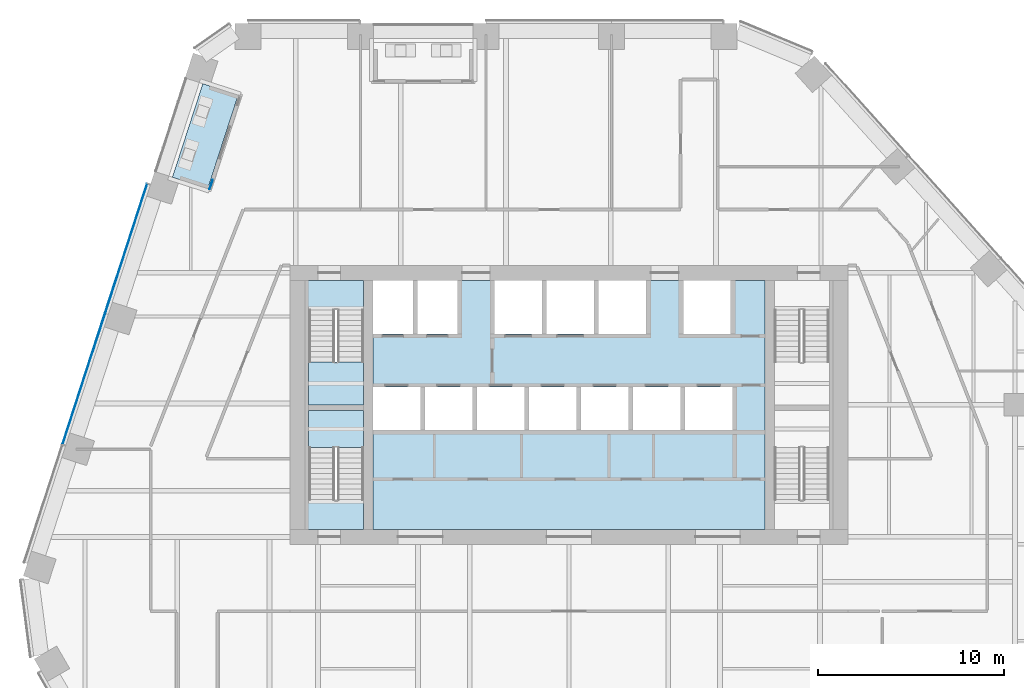
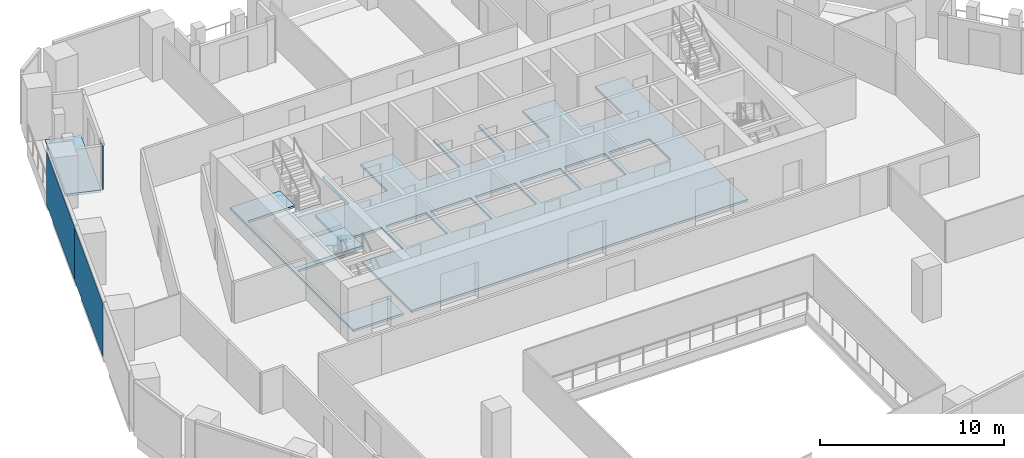
# One storey, part 16 of 26: 5 slabs, 3 plates, 4 elements without a shape of their own.
"""IFC4 building model written with IfcOpenShell, lengths in metres."""

from ifc_helpers import new_model, si_unit, direction, frame, origin, origin_2d, place, context, subcontext, project, spatial, polyline, rectangle, outline, extrude, material, layer, layer_set, type_object, element, aggregate, save


model = new_model("IFC4")

# Units and contexts
model_context = context("Model", 3, precision=1e-05, world=origin(), true_north=direction((0.0, 1.0)))
body_context = subcontext(model_context, "Body", "Model", "MODEL_VIEW")
ifc_project = project(units=[si_unit("LENGTHUNIT", "METRE"), si_unit("AREAUNIT", "SQUARE_METRE"), si_unit("VOLUMEUNIT", "CUBIC_METRE"), si_unit("PLANEANGLEUNIT", "RADIAN"), si_unit("MASSUNIT", "GRAM", prefix="KILO")], contexts=[model_context])

# Site, building, storey
site_placement = place(None, origin())
site = spatial("IfcSite", under=ifc_project, at=site_placement, CompositionType="ELEMENT")
building_placement = place(site_placement, origin())
building = spatial("IfcBuilding", under=site, at=building_placement, Name="Isthmus Gate Tower", CompositionType="ELEMENT")
storey_placement = place(building_placement, frame((0.0, 0.0, 129.800048828125)))
storey = spatial("IfcBuildingStorey", under=building, at=storey_placement, Name="L31", CompositionType="ELEMENT", Elevation=129.800048828125)

# Slabs
ifc_material_1 = material(Name="Concrete f'c 40 MPa", Category="concrete")
ifc_layer_1 = layer(ifc_material_1, 0.14990234375)
ifc_layer_set_1 = layer_set([ifc_layer_1], Name="CORE FLOOR SLAB 150")
slab_type_1 = type_object("IfcSlabType", Name="CORE FLOOR SLAB 150", PredefinedType="FLOOR", material=ifc_layer_set_1)
slab_1_placement = place(storey_placement, frame((0.0, 0.0, -0.150146484375)))
element("IfcSlab", 1, at=slab_1_placement, inside=storey, type_object=slab_type_1, Name="L31 core floor", PredefinedType="FLOOR", context=body_context, shape_type="SweptSolid", body=[
    extrude(outline(polyline([(-11.050048828125, 0.800048828125), (-11.050048828125, 2.402099609375), (-14.0, 2.402099609375), (-14.0, 7.199951171875), (-11.050048828125, 7.199951171875), (-11.050048828125, 7.5), (-14.0, 7.5), (-14.0, 12.597900390625), (-11.050048828125, 12.597900390625), (-11.050048828125, 14.199951171875), (-14.199951171875, 14.199951171875), (-14.199951171875, 0.800048828125), (-11.050048828125, 0.800048828125)])), origin(), (0.0, 0.0, 1.0), 0.150146484375),
])
slab_2_placement = place(storey_placement, frame((0.0, 0.0, -0.150146484375)))
element("IfcSlab", 2, at=slab_2_placement, inside=storey, type_object=slab_type_1, Name="L31 core floor", PredefinedType="FLOOR", context=body_context, shape_type="SweptSolid", body=[
    extrude(outline(polyline([(10.550048828125, 14.199951171875), (8.699951171875, 14.199951171875), (8.699951171875, 11.300048828125), (6.14990234375, 11.300048828125), (6.14990234375, 14.199951171875), (4.14990234375, 14.199951171875), (4.14990234375, 11.300048828125), (1.60009765625, 11.300048828125), (1.60009765625, 14.199951171875), (1.35009765625, 14.199951171875), (1.35009765625, 11.300048828125), (-1.199951171875, 11.300048828125), (-1.199951171875, 14.199951171875), (-1.449951171875, 14.199951171875), (-1.449951171875, 11.300048828125), (-4.0, 11.300048828125), (-4.0, 14.199951171875), (-6.0, 14.199951171875), (-6.0, 11.300048828125), (-8.14990234375, 11.300048828125), (-8.14990234375, 14.199951171875), (-8.39990234375, 14.199951171875), (-8.39990234375, 11.300048828125), (-10.550048828125, 11.300048828125), (-10.550048828125, 8.449951171875), (-8.0, 8.449951171875), (-8.0, 6.14990234375), (-10.550048828125, 6.14990234375), (-10.550048828125, 0.800048828125), (10.550048828125, 0.800048828125), (10.550048828125, 14.199951171875)]), holes=[polyline([(-5.199951171875, 8.449951171875), (-5.199951171875, 6.14990234375), (-7.75, 6.14990234375), (-7.75, 8.449951171875), (-5.199951171875, 8.449951171875)]), polyline([(-2.39990234375, 8.449951171875), (-2.39990234375, 6.14990234375), (-4.949951171875, 6.14990234375), (-4.949951171875, 8.449951171875), (-2.39990234375, 8.449951171875)]), polyline([(0.39990234375, 8.449951171875), (0.39990234375, 6.14990234375), (-2.14990234375, 6.14990234375), (-2.14990234375, 8.449951171875), (0.39990234375, 8.449951171875)]), polyline([(3.199951171875, 8.449951171875), (3.199951171875, 6.14990234375), (0.64990234375, 6.14990234375), (0.64990234375, 8.449951171875), (3.199951171875, 8.449951171875)]), polyline([(6.0, 8.449951171875), (6.0, 6.14990234375), (3.449951171875, 6.14990234375), (3.449951171875, 8.449951171875), (6.0, 8.449951171875)]), polyline([(8.800048828125, 8.449951171875), (8.800048828125, 6.14990234375), (6.25, 6.14990234375), (6.25, 8.449951171875), (8.800048828125, 8.449951171875)])]), origin(), (0.0, 0.0, 1.0), 0.150146484375),
])

# Curtain wall, plates
ifc_material_2 = material(Name="Aluminium, pale champagne anodised", Category="aluminium")
ifc_layer_2 = layer(ifc_material_2, 0.199951171875)
ifc_layer_set_2 = layer_set([ifc_layer_2], Name="CW-1 UNITISED CURTAIN WALL 200 DEEP")
curtain_wall_type_1 = type_object("IfcCurtainWallType", Name="CW-1 UNITISED CURTAIN WALL 200 DEEP", PredefinedType="NOTDEFINED", material=ifc_layer_set_2)
curtain_wall_1_placement = place(storey_placement, origin())
curtain_wall_1 = element("IfcCurtainWall", 3, at=curtain_wall_1_placement, inside=storey, type_object=curtain_wall_type_1, Name="CW-1 NW L31", PredefinedType="NOTDEFINED")
ifc_material_3 = material(Name="Laminated low-iron glass, pale blue tint", Category="glass")
ifc_layer_3 = layer(ifc_material_3, 0.035888671875)
ifc_layer_set_3 = layer_set([ifc_layer_3], Name="CW-1 CLEAR GLASS LITE 36")
plate_type_1 = type_object("IfcPlateType", Name="CW-1 CLEAR GLASS LITE 36", PredefinedType="CURTAIN_PANEL", material=ifc_layer_set_3)
plate_1_placement = place(storey_placement, frame((-23.822998046875, 15.899169921875, 0.0), z_axis=(0.0, 0.0, 1.0), x_axis=(-0.309016994375, -0.951056516295, 0.0)))
plate_1 = element("IfcPlate", 4, at=plate_1_placement, type_object=plate_type_1, Name="CW-1 glass lite", PredefinedType="CURTAIN_PANEL", context=body_context, shape_type="SweptSolid", body=[
    extrude(rectangle(XDim=7.330810546875, YDim=0.035888671875, at=origin_2d()), origin(), (0.0, 0.0, 1.0), 3.510009765625),
])
plate_2_placement = place(storey_placement, frame((-26.09765625, 8.8984375, 0.0), z_axis=(0.0, 0.0, 1.0), x_axis=(-0.309016994375, -0.951056516295, 0.0)))
plate_2 = element("IfcPlate", 5, at=plate_2_placement, type_object=plate_type_1, Name="CW-1 glass lite", PredefinedType="CURTAIN_PANEL", context=body_context, shape_type="SweptSolid", body=[
    extrude(rectangle(XDim=7.390869140625, YDim=0.035888671875, at=origin_2d()), origin(), (0.0, 0.0, 1.0), 3.510009765625),
])
aggregate(curtain_wall_1, [plate_1, plate_2])

# Curtain wall, plate
ifc_material_4 = material(Name="Aluminium, pale champagne anodised", Category="aluminium")
ifc_layer_4 = layer(ifc_material_4, 0.14990234375)
ifc_layer_set_4 = layer_set([ifc_layer_4], Name="CW-6 LOGGIA BACK WALL GLAZING 150 DEEP")
curtain_wall_type_2 = type_object("IfcCurtainWallType", Name="CW-6 LOGGIA BACK WALL GLAZING 150 DEEP", PredefinedType="NOTDEFINED", material=ifc_layer_set_4)
curtain_wall_2_placement = place(storey_placement, origin())
curtain_wall_2 = element("IfcCurtainWall", 6, at=curtain_wall_2_placement, inside=storey, type_object=curtain_wall_type_2, Name="CW-6 NW L31", PredefinedType="NOTDEFINED")
ifc_material_5 = material(Name="Laminated low-iron glass, clear", Category="glass")
ifc_layer_5 = layer(ifc_material_5, 0.031982421875)
ifc_layer_set_5 = layer_set([ifc_layer_5], Name="CW-6 CLEAR GLASS LITE 32")
plate_type_2 = type_object("IfcPlateType", Name="CW-6 CLEAR GLASS LITE 32", PredefinedType="CURTAIN_PANEL", material=ifc_layer_set_5)
plate_3_placement = place(storey_placement, frame((-19.249755859375, 19.35302734375, 0.0), z_axis=(0.0, 0.0, 1.0), x_axis=(-0.309016994375, -0.951056516295, 0.0)))
plate_3 = element("IfcPlate", 7, at=plate_3_placement, type_object=plate_type_2, Name="CW-6 glass lite", PredefinedType="CURTAIN_PANEL", context=body_context, shape_type="SweptSolid", body=[
    extrude(rectangle(XDim=0.54541015625, YDim=0.031982421875, at=origin_2d()), origin(), (0.0, 0.0, 1.0), 2.929931640625),
])
aggregate(curtain_wall_2, [plate_3])

# Slab
ifc_material_6 = material(Name="Concrete f'c 50 MPa", Category="concrete")
ifc_layer_6 = layer(ifc_material_6, 0.14990234375)
ifc_layer_set_6 = layer_set([ifc_layer_6], Name="LOGGIA FLOOR SLAB 150")
slab_type_2 = type_object("IfcSlabType", Name="LOGGIA FLOOR SLAB 150", PredefinedType="FLOOR", material=ifc_layer_set_6)
slab_3_placement = place(storey_placement, frame((0.0, 0.0, -0.150146484375)))
element("IfcSlab", 8, at=slab_3_placement, inside=storey, type_object=slab_type_2, Name="LOGGIA FLOOR", PredefinedType="FLOOR", context=body_context, shape_type="SweptSolid", body=[
    extrude(outline(polyline([(-19.696533203125, 24.7744140625), (-21.331298828125, 19.74267578125), (-19.42919921875, 19.12451171875), (-17.794189453125, 24.156494140625), (-19.696533203125, 24.7744140625)])), origin(), (0.0, 0.0, 1.0), 0.150146484375),
])

# Stair, slab
ifc_material_7 = material(Name="Concrete f'c 40 MPa", Category="concrete")
stair_type = type_object("IfcStairType", Name="CORE STAIR 22 RISERS", PredefinedType="HALF_TURN_STAIR", material=ifc_material_7)
stair_1_placement = place(storey_placement, origin())
stair_1 = element("IfcStair", 9, at=stair_1_placement, inside=storey, type_object=stair_type, Name="L31 Exit Stair 1", PredefinedType="HALF_TURN_STAIR")
ifc_material_8 = material(Name="Concrete f'c 40 MPa", Category="concrete")
ifc_layer_7 = layer(ifc_material_8, 0.199951171875)
ifc_layer_set_7 = layer_set([ifc_layer_7])
slab_type_3 = type_object("IfcSlabType", Name="STAIR LANDING RC 200", PredefinedType="LANDING", material=ifc_layer_set_7)
slab_4_placement = place(storey_placement, frame((0.0, 0.0, 1.625)))
slab_4 = element("IfcSlab", 10, at=slab_4_placement, type_object=slab_type_3, Name="ST1 landing 1", PredefinedType="LANDING", context=body_context, shape_type="SweptSolid", body=[
    extrude(outline(polyline([(-14.0, 9.800048828125), (-14.0, 7.5), (-11.050048828125, 7.5), (-11.050048828125, 9.800048828125), (-14.0, 9.800048828125)])), origin(), (0.0, 0.0, 1.0), 0.199951171875),
])
aggregate(stair_1, [slab_4])

stair_2_placement = place(storey_placement, origin())
stair_2 = element("IfcStair", 11, at=stair_2_placement, inside=storey, type_object=stair_type, Name="L31 Exit Stair 7", PredefinedType="HALF_TURN_STAIR")
slab_5_placement = place(storey_placement, frame((0.0, 0.0, 1.625)))
slab_5 = element("IfcSlab", 12, at=slab_5_placement, type_object=slab_type_3, Name="ST7 landing 1", PredefinedType="LANDING", context=body_context, shape_type="SweptSolid", body=[
    extrude(outline(polyline([(-11.050048828125, 5.199951171875), (-11.050048828125, 7.199951171875), (-14.0, 7.199951171875), (-14.0, 5.199951171875), (-11.050048828125, 5.199951171875)])), origin(), (0.0, 0.0, 1.0), 0.199951171875),
])
aggregate(stair_2, [slab_5])

save(model, "model.ifc")
